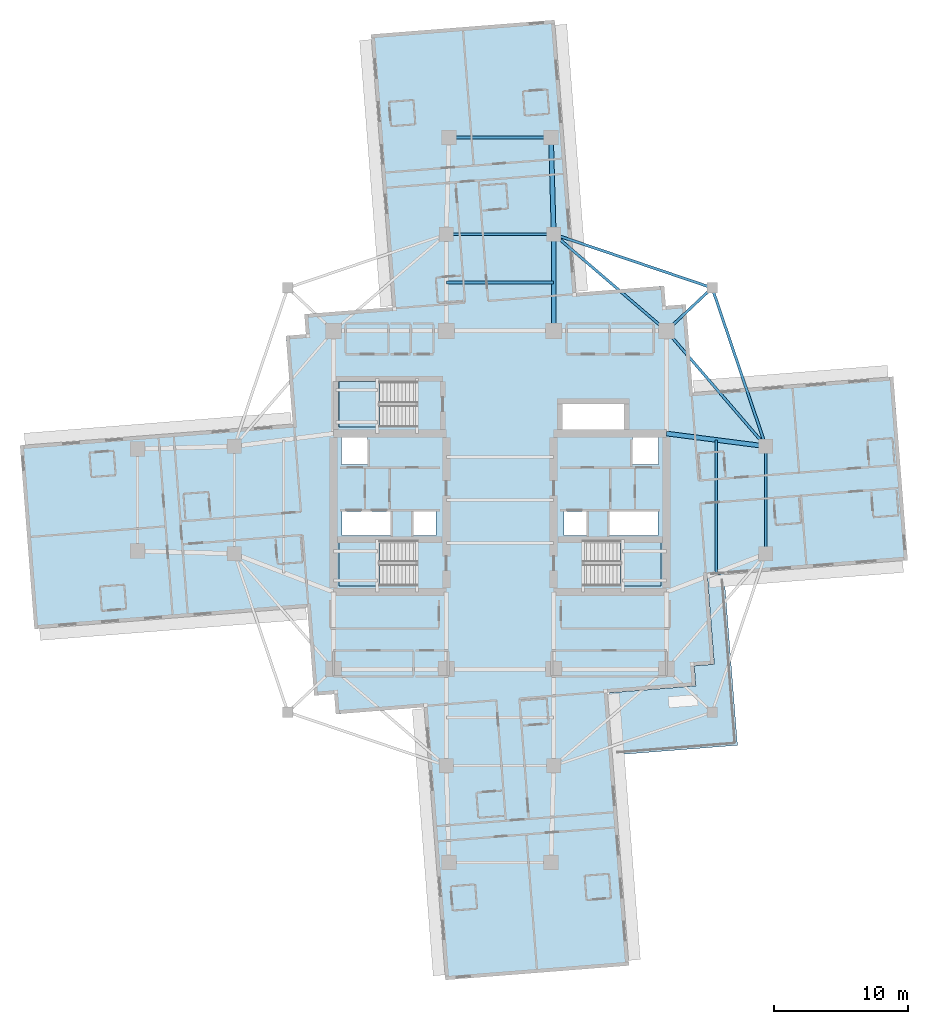
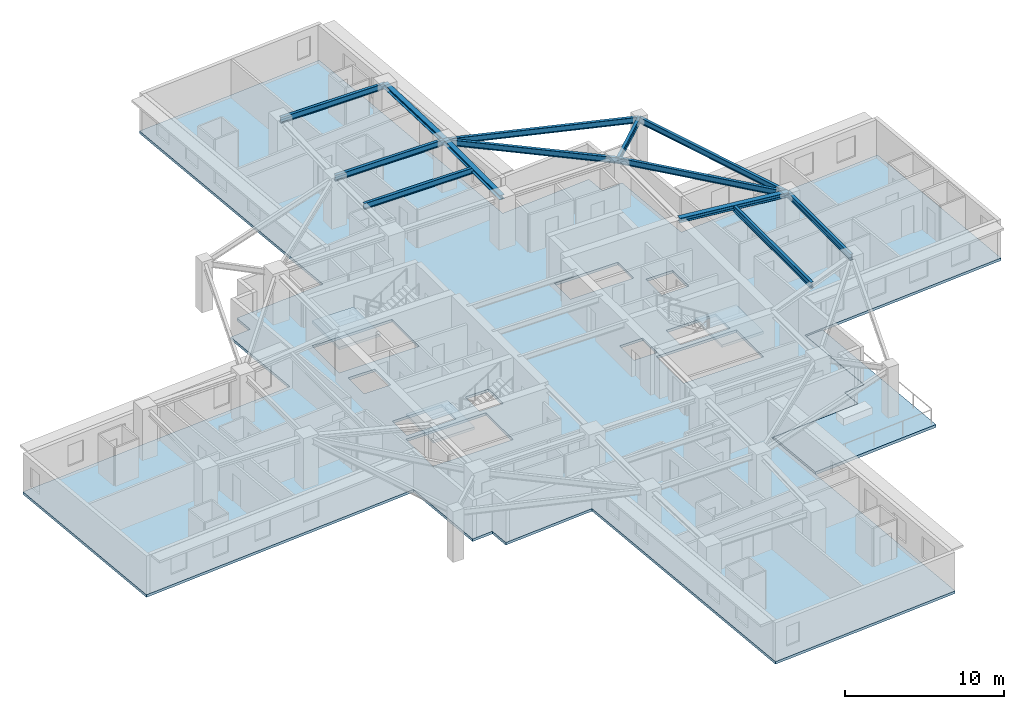
# One storey, part 2 of 14: 13 beams, 5 slabs, 3 elements without a shape of their own.
"""IFC4 building model written with IfcOpenShell, lengths in metres."""

from ifc_helpers import new_model, si_unit, direction, frame, origin, origin_2d, place, context, subcontext, project, spatial, polyline, i_section, outline, extrude, material, layer, layer_set, material_profile, profile_set, type_object, element, aggregate, save


model = new_model("IFC4")

# Units and contexts
model_context = context("Model", 3, precision=1e-05, world=origin(), true_north=direction((0.0, 1.0)))
body_context = subcontext(model_context, "Body", "Model", "MODEL_VIEW")
ifc_project = project(units=[si_unit("LENGTHUNIT", "METRE"), si_unit("AREAUNIT", "SQUARE_METRE"), si_unit("VOLUMEUNIT", "CUBIC_METRE"), si_unit("PLANEANGLEUNIT", "RADIAN"), si_unit("MASSUNIT", "GRAM", prefix="KILO")], contexts=[model_context])

# Site, building, storey
site_placement = place(None, origin())
site = spatial("IfcSite", under=ifc_project, at=site_placement, CompositionType="ELEMENT")
building_placement = place(site_placement, origin())
building = spatial("IfcBuilding", under=site, at=building_placement, Name="Qingluan Cross Belvedere", CompositionType="ELEMENT")
storey_placement = place(building_placement, frame((0.0, 0.0, 124.199951171875)))
storey = spatial("IfcBuildingStorey", under=building, at=storey_placement, Name="L31", CompositionType="ELEMENT", Elevation=124.199951171875)

# Beams
ifc_material_1 = material(Name="Steel Q420GJB", Category="steel")
ifc_material_profile_1 = material_profile(ifc_material_1, i_section(OverallWidth=0.199951171875, OverallDepth=0.449951171875, WebThickness=0.009033203125, FlangeThickness=0.013916015625, FilletRadius=0.01611328125, at=origin_2d()), Name="HN450x200x9x14")
ifc_profile_set_1 = profile_set([ifc_material_profile_1], Name="Steel Q420GJB")
beam_type_1 = type_object("IfcBeamType", Name="Steel_Beam_HN450x200x9x14", PredefinedType="JOIST", material=ifc_profile_set_1)
beam_1_placement = place(storey_placement, frame((12.39990234375, 12.60009765625, 3.455078125), z_axis=(0.728219948308, 0.685343495546, 0.0), x_axis=(-0.685343495546, 0.728219948308, 0.0)))
element("IfcBeam", 1, at=beam_1_placement, inside=storey, type_object=beam_type_1, Name="Corner beam 1 L31-RNE", PredefinedType="JOIST", context=body_context, shape_type="SweptSolid", body=[
    extrude(i_section(OverallWidth=0.199951171875, OverallDepth=0.449951171875, WebThickness=0.009033203125, FlangeThickness=0.013916015625, FilletRadius=0.01611328125, at=origin_2d()), origin(), (0.0, 0.0, 1.0), 4.669189453125),
])
for number, where, z_axis, x_axis, name in (
    (2, (15.800048828125, 15.800048828125, 3.455078125), (-0.947066283324, 0.321038089628, 0.0), (-0.321038089628, -0.947066283324, 0.0), "Corner beam 2 L31-RNE"),
    (3, (15.800048828125, 15.800048828125, 3.455078125), (0.321038089628, -0.947066283324, 0.0), (0.947066283324, 0.321038089628, 0.0), "Corner beam 3 L31-RNE"),
):
    element("IfcBeam", number, at=place(storey_placement, frame(where, z_axis=z_axis, x_axis=x_axis)), inside=storey, type_object=beam_type_1, Name=name, PredefinedType="JOIST", context=body_context, shape_type="SweptSolid", body=[
        extrude(i_section(OverallWidth=0.199951171875, OverallDepth=0.449951171875, WebThickness=0.009033203125, FlangeThickness=0.013916015625, FilletRadius=0.01611328125, at=origin_2d()), origin(), (0.0, 0.0, 1.0), 12.45947265625),
    ])
beam_2_placement = place(storey_placement, frame((12.39990234375, 12.60009765625, 3.455078125), z_axis=(0.652245077546, -0.75800815221, 0.0), x_axis=(0.75800815221, 0.652245077546, 0.0)))
element("IfcBeam", 4, at=beam_2_placement, inside=storey, type_object=beam_type_1, Name="Corner beam 4 L31-RNE", PredefinedType="JOIST", context=body_context, shape_type="SweptSolid", body=[
    extrude(i_section(OverallWidth=0.199951171875, OverallDepth=0.449951171875, WebThickness=0.009033203125, FlangeThickness=0.013916015625, FilletRadius=0.01611328125, at=origin_2d()), origin(), (0.0, 0.0, 1.0), 11.345703125),
])
beam_3_placement = place(storey_placement, frame((12.39990234375, 12.60009765625, 3.455078125), z_axis=(-0.759255044656, 0.650793190779, 0.0), x_axis=(-0.650793190779, -0.759255044656, 0.0)))
element("IfcBeam", 5, at=beam_3_placement, inside=storey, type_object=beam_type_1, Name="Corner beam 5 L31-RNE", PredefinedType="JOIST", context=body_context, shape_type="SweptSolid", body=[
    extrude(i_section(OverallWidth=0.199951171875, OverallDepth=0.449951171875, WebThickness=0.009033203125, FlangeThickness=0.013916015625, FilletRadius=0.01611328125, at=origin_2d()), origin(), (0.0, 0.0, 1.0), 11.063232421875),
])
beam_4_placement = place(storey_placement, frame((19.800048828125, -4.0, 3.47509765625), z_axis=(0.0, 1.0, 0.0), x_axis=(-1.0, 0.0, 0.0)))
element("IfcBeam", 6, at=beam_4_placement, inside=storey, type_object=beam_type_1, Name="Arm E tie L31", PredefinedType="JOIST", context=body_context, shape_type="SweptSolid", body=[
    extrude(i_section(OverallWidth=0.199951171875, OverallDepth=0.449951171875, WebThickness=0.009033203125, FlangeThickness=0.013916015625, FilletRadius=0.01611328125, at=origin_2d()), origin(), (0.0, 0.0, 1.0), 8.0),
])
beam_5_placement = place(storey_placement, frame((16.10009765625, -5.425048828125, 3.47509765625), z_axis=(0.0, 1.0, 0.0), x_axis=(-1.0, 0.0, 0.0)))
element("IfcBeam", 7, at=beam_5_placement, inside=storey, type_object=beam_type_1, Name="Arm E beam L31", PredefinedType="JOIST", context=body_context, shape_type="SweptSolid", body=[
    extrude(i_section(OverallWidth=0.199951171875, OverallDepth=0.449951171875, WebThickness=0.009033203125, FlangeThickness=0.013916015625, FilletRadius=0.01611328125, at=origin_2d()), origin(), (0.0, 0.0, 1.0), 9.900146484375),
])
for number, where, z_axis, x_axis, name in (
    (8, (-4.0, 19.800048828125, 3.47509765625), (1.0, 0.0, 0.0), (0.0, 1.0, 0.0), "Arm N tie L31"),
    (9, (-4.0, 16.199951171875, 3.47509765625), (1.0, 0.0, 0.0), (0.0, 1.0, 0.0), "Arm N beam L31"),
):
    element("IfcBeam", number, at=place(storey_placement, frame(where, z_axis=z_axis, x_axis=x_axis)), inside=storey, type_object=beam_type_1, Name=name, PredefinedType="JOIST", context=body_context, shape_type="SweptSolid", body=[
        extrude(i_section(OverallWidth=0.199951171875, OverallDepth=0.449951171875, WebThickness=0.009033203125, FlangeThickness=0.013916015625, FilletRadius=0.01611328125, at=origin_2d()), origin(), (0.0, 0.0, 1.0), 8.0),
    ])
beam_6_placement = place(storey_placement, frame((-3.800048828125, 27.0, 3.47509765625), z_axis=(1.0, 0.0, 0.0), x_axis=(0.0, 1.0, 0.0)))
element("IfcBeam", 10, at=beam_6_placement, inside=storey, type_object=beam_type_1, Name="Arm N tip transverse beam L31", PredefinedType="JOIST", context=body_context, shape_type="SweptSolid", body=[
    extrude(i_section(OverallWidth=0.199951171875, OverallDepth=0.449951171875, WebThickness=0.009033203125, FlangeThickness=0.013916015625, FilletRadius=0.01611328125, at=origin_2d()), origin(), (0.0, 0.0, 1.0), 7.60009765625),
])
ifc_material_2 = material(Name="Steel Q420GJB", Category="steel")
ifc_material_profile_2 = material_profile(ifc_material_2, i_section(OverallWidth=0.35009765625, OverallDepth=0.35009765625, WebThickness=0.011962890625, FlangeThickness=0.01904296875, FilletRadius=0.02001953125, at=origin_2d()), Name="HW350x350x12x19")
ifc_profile_set_2 = profile_set([ifc_material_profile_2], Name="Steel Q420GJB")
beam_type_2 = type_object("IfcBeamType", Name="Steel_Girder_HW350x350x12x19", PredefinedType="USERDEFINED", material=ifc_profile_set_2)
beam_7_placement = place(storey_placement, frame((12.39990234375, 4.949951171875, 3.525146484375), z_axis=(0.991861120628, -0.12732445714, 0.0), x_axis=(0.12732445714, 0.991861120628, 0.0)))
element("IfcBeam", 11, at=beam_7_placement, inside=storey, type_object=beam_type_2, Name="Arm E radial girder B L31", ObjectType="GIRDER", PredefinedType="USERDEFINED", context=body_context, shape_type="SweptSolid", body=[
    extrude(i_section(OverallWidth=0.35009765625, OverallDepth=0.35009765625, WebThickness=0.011962890625, FlangeThickness=0.01904296875, FilletRadius=0.02001953125, at=origin_2d()), origin(), (0.0, 0.0, 1.0), 7.4609375),
])
beam_8_placement = place(storey_placement, frame((4.0, 12.60009765625, 3.525146484375), z_axis=(0.0, 1.0, 0.0), x_axis=(-1.0, 0.0, 0.0)))
element("IfcBeam", 12, at=beam_8_placement, inside=storey, type_object=beam_type_2, Name="Arm N radial girder B L31", ObjectType="GIRDER", PredefinedType="USERDEFINED", context=body_context, shape_type="SweptSolid", body=[
    extrude(i_section(OverallWidth=0.35009765625, OverallDepth=0.35009765625, WebThickness=0.011962890625, FlangeThickness=0.01904296875, FilletRadius=0.02001953125, at=origin_2d()), origin(), (0.0, 0.0, 1.0), 7.199951171875),
])
beam_9_placement = place(storey_placement, frame((4.0, 19.800048828125, 3.525146484375), z_axis=(-0.027760481514, 0.999614603568, 0.0), x_axis=(-0.999614603568, -0.027760481514, 0.0)))
element("IfcBeam", 13, at=beam_9_placement, inside=storey, type_object=beam_type_2, Name="Arm N outer radial girder B L31", ObjectType="GIRDER", PredefinedType="USERDEFINED", context=body_context, shape_type="SweptSolid", body=[
    extrude(i_section(OverallWidth=0.35009765625, OverallDepth=0.35009765625, WebThickness=0.011962890625, FlangeThickness=0.01904296875, FilletRadius=0.02001953125, at=origin_2d()), origin(), (0.0, 0.0, 1.0), 7.20263671875),
])

# Slab
ifc_material_3 = material(Name="Concrete C40", Category="concrete")
ifc_layer_1 = layer(ifc_material_3, 0.199951171875, Name="FloorSlab_200")
ifc_layer_set_1 = layer_set([ifc_layer_1], Name="Concrete C40")
slab_type_1 = type_object("IfcSlabType", Name="FloorSlab_200", PredefinedType="FLOOR", material=ifc_layer_set_1)
slab_1_placement = place(storey_placement, frame((0.0, 0.0, -0.199951171875)))
element("IfcSlab", 14, at=slab_1_placement, inside=storey, type_object=slab_type_1, Name="Structural floor slab L31", PredefinedType="FLOOR", context=body_context, shape_type="SweptSolid", body=[
    extrude(outline(polyline([(9.610107421875, -34.6728515625), (8.010986328125, -14.355712890625), (14.57080078125, -13.839599609375), (14.453125, -12.343994140625), (15.948486328125, -12.226318359375), (15.43212890625, -5.666748046875), (30.365966796875, -4.491455078125), (29.28955078125, 9.186279296875), (14.355712890625, 8.010986328125), (13.839599609375, 14.57080078125), (12.343994140625, 14.453125), (12.226318359375, 15.948486328125), (5.666748046875, 15.43212890625), (4.067626953125, 35.749267578125), (-9.610107421875, 34.6728515625), (-8.010986328125, 14.355712890625), (-14.57080078125, 13.839599609375), (-14.453125, 12.343994140625), (-15.948486328125, 12.226318359375), (-15.43212890625, 5.666748046875), (-35.749267578125, 4.067626953125), (-34.6728515625, -9.610107421875), (-14.355712890625, -8.010986328125), (-13.839599609375, -14.57080078125), (-12.343994140625, -14.453125), (-12.226318359375, -15.948486328125), (-5.666748046875, -15.43212890625), (-4.067626953125, -35.749267578125), (9.610107421875, -34.6728515625)]), holes=[polyline([(-12.0, -3.0), (-6.179931640625, -3.0), (-6.179931640625, -6.39990234375), (-12.0, -6.39990234375), (-12.0, -3.0)]), polyline([(6.179931640625, -3.0), (12.0, -3.0), (12.0, -6.39990234375), (6.179931640625, -6.39990234375), (6.179931640625, -3.0)]), polyline([(-12.0, 8.820068359375), (-6.179931640625, 8.820068359375), (-6.179931640625, 5.419921875), (-12.0, 5.419921875), (-12.0, 8.820068359375)]), polyline([(-11.800048828125, 4.64990234375), (-9.85009765625, 4.64990234375), (-9.85009765625, 2.64990234375), (-11.800048828125, 2.64990234375), (-11.800048828125, 4.64990234375)]), polyline([(9.85009765625, 4.64990234375), (11.800048828125, 4.64990234375), (11.800048828125, 2.64990234375), (9.85009765625, 2.64990234375), (9.85009765625, 4.64990234375)]), polyline([(-11.75, -0.840087890625), (-8.14990234375, -0.840087890625), (-8.14990234375, -2.659912109375), (-11.75, -2.659912109375), (-11.75, -0.840087890625)]), polyline([(-6.449951171875, -0.840087890625), (-4.75, -0.840087890625), (-4.75, -2.659912109375), (-6.449951171875, -2.659912109375), (-6.449951171875, -0.840087890625)]), polyline([(4.75, -0.840087890625), (6.449951171875, -0.840087890625), (6.449951171875, -2.659912109375), (4.75, -2.659912109375), (4.75, -0.840087890625)]), polyline([(8.14990234375, -0.840087890625), (11.75, -0.840087890625), (11.75, -2.659912109375), (8.14990234375, -2.659912109375), (8.14990234375, -0.840087890625)]), polyline([(4.64990234375, 7.14990234375), (9.25, 7.14990234375), (9.25, 5.14990234375), (4.64990234375, 5.14990234375), (4.64990234375, 7.14990234375)])]), origin(), (0.0, 0.0, 1.0), 0.199951171875),
])

# Stair, slab
ifc_material_4 = material(Name="Concrete C40", Category="concrete")
stair_type = type_object("IfcStairType", Name="CoreDoglegStair_1620", PredefinedType="HALF_TURN_STAIR", material=ifc_material_4)
stair_1_placement = place(storey_placement, origin())
stair_1 = element("IfcStair", 15, at=stair_1_placement, inside=storey, type_object=stair_type, Name="L31 ST1", PredefinedType="HALF_TURN_STAIR")
ifc_material_5 = material(Name="Concrete C40", Category="concrete")
ifc_layer_2 = layer(ifc_material_5, 0.179931640625, Name="StairLandingSlab_180")
ifc_layer_set_2 = layer_set([ifc_layer_2], Name="Concrete C40")
slab_type_2 = type_object("IfcSlabType", Name="StairLandingSlab_180", PredefinedType="LANDING", material=ifc_layer_set_2)
slab_2_placement = place(storey_placement, frame((0.0, 0.0, 1.75)))
slab_2 = element("IfcSlab", 16, at=slab_2_placement, type_object=slab_type_2, Name="ST1 landing 1", PredefinedType="LANDING", context=body_context, shape_type="SweptSolid", body=[
    extrude(outline(polyline([(-8.97998046875, -3.0), (-12.0, -3.0), (-12.0, -6.39990234375), (-8.97998046875, -6.39990234375), (-8.97998046875, -3.0)])), origin(), (0.0, 0.0, 1.0), 0.199951171875),
])
aggregate(stair_1, [slab_2])

stair_2_placement = place(storey_placement, origin())
stair_2 = element("IfcStair", 17, at=stair_2_placement, inside=storey, type_object=stair_type, Name="L31 ST2", PredefinedType="HALF_TURN_STAIR")
slab_3_placement = place(storey_placement, frame((0.0, 0.0, 1.75)))
slab_3 = element("IfcSlab", 18, at=slab_3_placement, type_object=slab_type_2, Name="ST2 landing 1", PredefinedType="LANDING", context=body_context, shape_type="SweptSolid", body=[
    extrude(outline(polyline([(8.97998046875, -6.39990234375), (12.0, -6.39990234375), (12.0, -3.0), (8.97998046875, -3.0), (8.97998046875, -6.39990234375)])), origin(), (0.0, 0.0, 1.0), 0.199951171875),
])
aggregate(stair_2, [slab_3])

stair_3_placement = place(storey_placement, origin())
stair_3 = element("IfcStair", 19, at=stair_3_placement, inside=storey, type_object=stair_type, Name="L31 ST3", PredefinedType="HALF_TURN_STAIR")
slab_4_placement = place(storey_placement, frame((0.0, 0.0, 1.75)))
slab_4 = element("IfcSlab", 20, at=slab_4_placement, type_object=slab_type_2, Name="ST3 landing 1", PredefinedType="LANDING", context=body_context, shape_type="SweptSolid", body=[
    extrude(outline(polyline([(-8.97998046875, 8.820068359375), (-12.0, 8.820068359375), (-12.0, 5.419921875), (-8.97998046875, 5.419921875), (-8.97998046875, 8.820068359375)])), origin(), (0.0, 0.0, 1.0), 0.199951171875),
])
aggregate(stair_3, [slab_4])

# Slab
ifc_material_6 = material(Name="Concrete C40", Category="concrete")
ifc_layer_3 = layer(ifc_material_6, 0.219970703125, Name="TerraceSlab_220")
ifc_layer_set_3 = layer_set([ifc_layer_3], Name="Concrete C40")
slab_type_3 = type_object("IfcSlabType", Name="TerraceSlab_220", PredefinedType="FLOOR", material=ifc_layer_set_3)
slab_5_placement = place(storey_placement, frame((0.0, 0.0, -0.219970703125)))
element("IfcSlab", 21, at=slab_5_placement, inside=storey, type_object=slab_type_3, Name="Spiralling winter-garden terrace slab L31", PredefinedType="FLOOR", context=body_context, shape_type="SweptSolid", body=[
    extrude(outline(polyline([(15.453125, -5.805419921875), (15.957275390625, -12.231201171875), (14.4638671875, -12.353271484375), (14.580810546875, -13.838623046875), (14.573486328125, -13.84912109375), (8.1513671875, -14.354736328125), (8.51611328125, -18.990478515625), (17.68798828125, -18.2685546875), (16.69921875, -5.70751953125), (15.453125, -5.805419921875)])), origin(), (0.0, 0.0, 1.0), 0.219970703125),
])

save(model, "model.ifc")
